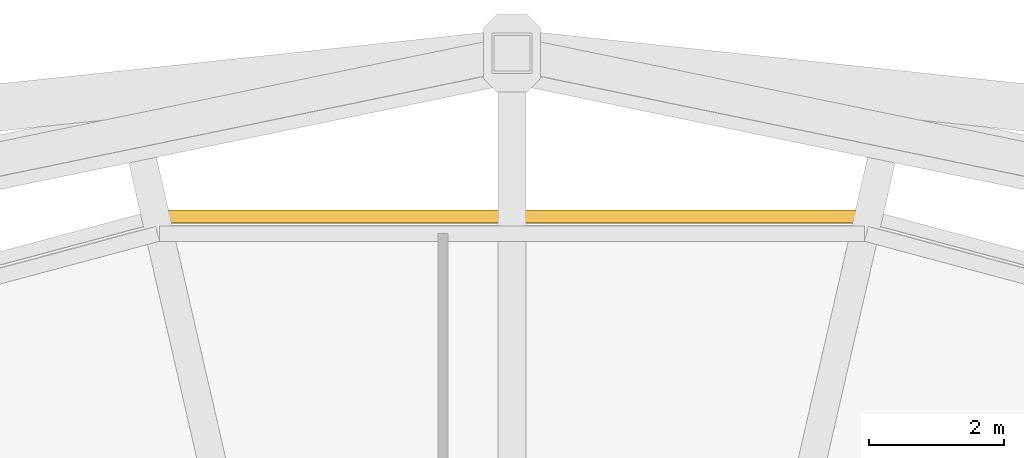
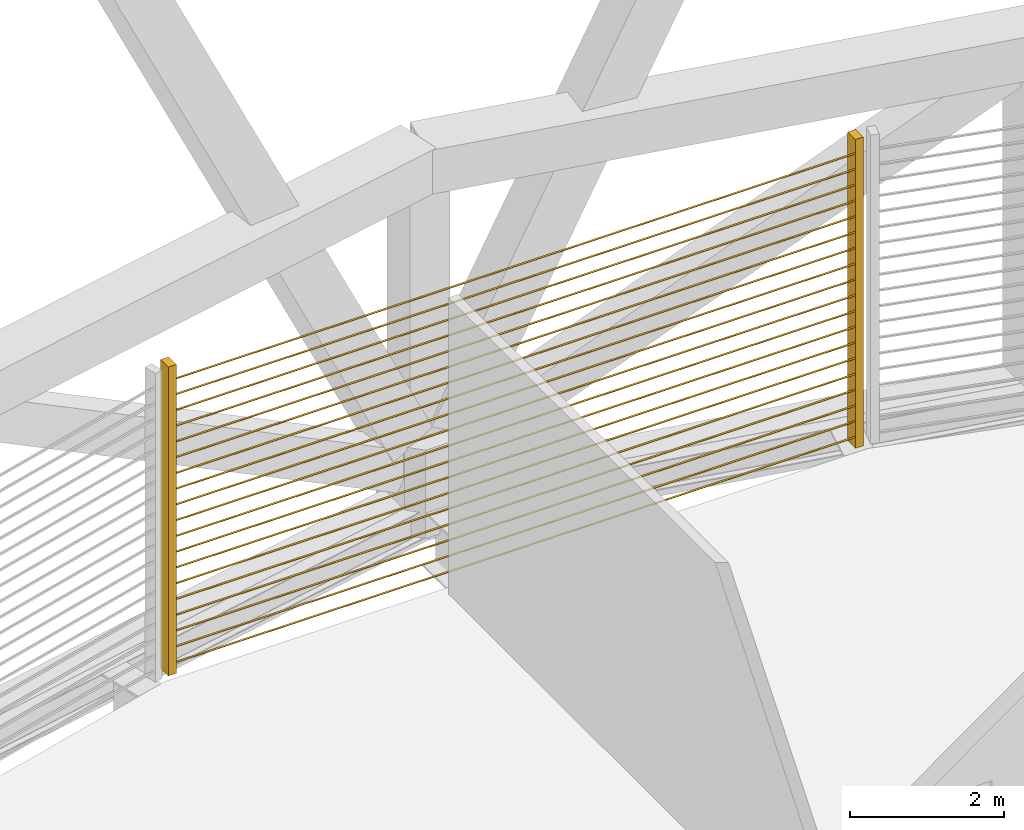
# One storey, part 17 of 17: 1 shading device.
"""IFC4 building model written with IfcOpenShell, lengths in metres."""

import ifcopenshell
import ifcopenshell.guid

model = None  # the IFC model being written
_history = None  # IfcOwnerHistory: only IFC2X3 demands one
_inside = {}  # id of a spatial element -> (the spatial element, [elements in it])
_under = {}  # id of a project, library or spatial element -> (it, [spatial elements below it])
_declared = {}  # id of a project -> (the project, [libraries it declares])
_typed = {}  # id of a type object -> (the type object, [elements of that type])
_made_of = {}  # id of a material, layer set ... -> (it, [elements and type objects made of it])


def new_model(schema):
    """Start an empty IFC model of exactly this schema.

    Asked for "IFC4X3", IfcOpenShell would pick the latest addendum, in which some entities
    have other attributes; the version numbers below select the first issue.
    IFC2X3 requires an IfcOwnerHistory on every rooted entity: one is made here for all.
    """
    global model, _history
    if schema == "IFC4X3":
        model = ifcopenshell.file(schema_version=(4, 3, 0, 0))
    else:
        model = ifcopenshell.file(schema=schema)
    _inside.clear()
    _under.clear()
    _declared.clear()
    _typed.clear()
    _made_of.clear()
    _history = None
    if model.schema == "IFC2X3":
        org = make("IfcOrganization", Name="unknown")
        user = make(
            "IfcPersonAndOrganization",
            ThePerson=make("IfcPerson", FamilyName="unknown"),
            TheOrganization=org,
        )
        app = make(
            "IfcApplication",
            ApplicationDeveloper=org,
            Version="unknown",
            ApplicationFullName="unknown",
            ApplicationIdentifier="unknown",
        )
        _history = make(
            "IfcOwnerHistory",
            OwningUser=user,
            OwningApplication=app,
            ChangeAction="ADDED",
            CreationDate=0,
        )
    return model


def make(cls, **values):
    """One entity of the class cls with the attributes given. An attribute that is None is left unset."""
    return model.create_entity(
        cls, **{name: value for name, value in values.items() if value is not None}
    )


def rooted(cls, **values):
    """An entity with a GlobalId (a new one), such as an element, a storey or a relation."""
    return make(cls, GlobalId=ifcopenshell.guid.new(), OwnerHistory=_history, **values)


def si_unit(unit_type, name, prefix=None):
    """IfcSIUnit, for example si_unit("LENGTHUNIT", "METRE", prefix="MILLI")."""
    return make("IfcSIUnit", UnitType=unit_type, Prefix=prefix, Name=name)


def assignment(units):
    """IfcUnitAssignment: the units of a project."""
    return None if units is None else make("IfcUnitAssignment", Units=units)


def point(xyz):
    """IfcCartesianPoint."""
    return None if xyz is None else make("IfcCartesianPoint", Coordinates=xyz)


def direction(xyz):
    """IfcDirection."""
    return None if xyz is None else make("IfcDirection", DirectionRatios=xyz)


def frame(location, z_axis=None, x_axis=None):
    """IfcAxis2Placement3D, a coordinate frame: its origin and axes. An axis left out is left unset."""
    return make(
        "IfcAxis2Placement3D",
        Location=point(location),
        Axis=direction(z_axis),
        RefDirection=direction(x_axis),
    )


def frame_2d(location, x_axis=None):
    """IfcAxis2Placement2D, a coordinate frame in the plane: its origin and x axis."""
    return make(
        "IfcAxis2Placement2D", Location=point(location), RefDirection=direction(x_axis)
    )


def origin():
    """The frame at (0, 0, 0) with its axes left unset."""
    return frame((0.0, 0.0, 0.0))


def origin_2d():
    """The frame at (0, 0) in the plane with its x axis left unset."""
    return frame_2d((0.0, 0.0))


def place(relative_to, where):
    """IfcLocalPlacement: puts the frame where relative to a parent placement (None: the world)."""
    return make(
        "IfcLocalPlacement", PlacementRelTo=relative_to, RelativePlacement=where
    )


def context(
    kind, dimensions, precision=None, world=None, true_north=None, identifier=None
):
    """IfcGeometricRepresentationContext, for example the 3D "Model" context."""
    return make(
        "IfcGeometricRepresentationContext",
        ContextIdentifier=identifier,
        ContextType=kind,
        CoordinateSpaceDimension=dimensions,
        Precision=precision,
        WorldCoordinateSystem=world,
        TrueNorth=true_north,
    )


def subcontext(parent, identifier, kind, view, scale=None):
    """IfcGeometricRepresentationSubContext, for example "Body" below "Model"."""
    return make(
        "IfcGeometricRepresentationSubContext",
        ContextIdentifier=identifier,
        ContextType=kind,
        ParentContext=parent,
        TargetScale=scale,
        TargetView=view,
    )


def project(units=None, contexts=None):
    """IfcProject with its units and contexts."""
    return rooted(
        "IfcProject",
        Name="project",
        RepresentationContexts=contexts,
        UnitsInContext=assignment(units),
    )


def spatial(cls, under=None, at=None, **own):
    """A site, building, storey or space (cls), placed at a placement, below another one or the project."""
    s = rooted(cls, ObjectPlacement=at, **own)
    if under is not None:
        _under.setdefault(under.id(), (under, []))[1].append(s)
    return s


def profile(cls, at=None, kind="AREA", **sizes):
    """A parametric profile (cls). Its sizes go by their IFC names, for example OverallWidth=200.0."""
    return make(cls, ProfileType=kind, Position=at, **sizes)


def rectangle(**sizes):
    """IfcRectangleProfileDef."""
    return profile("IfcRectangleProfileDef", **sizes)


def extrude(swept, where, along, depth):
    """IfcExtrudedAreaSolid: the profile swept, set in the frame where, extruded along a direction by depth."""
    return make(
        "IfcExtrudedAreaSolid",
        SweptArea=swept,
        Position=where,
        ExtrudedDirection=direction(along),
        Depth=depth,
    )


def shape(context_of_items, identifier, shape_type, items):
    """IfcShapeRepresentation: the items that make up one representation, for example the "Body"."""
    return make(
        "IfcShapeRepresentation",
        ContextOfItems=context_of_items,
        RepresentationIdentifier=identifier,
        RepresentationType=shape_type,
        Items=items,
    )


def material(Name=None, Category=None):
    """IfcMaterial."""
    return make("IfcMaterial", Name=Name, Category=Category)


def made_of(thing, what):
    """Note that an element or type object is made of a material, layer set ...; save() writes the relation."""
    if what is not None:
        _made_of.setdefault(what.id(), (what, []))[1].append(thing)
    return thing


def type_object(cls, material=None, **own):
    """A type object (cls), such as IfcWallType, which elements share."""
    return made_of(rooted(cls, **own), material)


def element(
    cls,
    number,
    at=None,
    inside=None,
    cuts=None,
    type_object=None,
    material=None,
    context=None,
    identifier="Body",
    shape_type=None,
    held_by="IfcProductDefinitionShape",
    body=None,
    shapes=None,
    **own,
):
    """One element of the class cls, such as IfcWall. Its Tag is "e" and its number.

    at: its placement. inside: the storey or other place that contains it. cuts: it is an
    opening in that element (IfcRelVoidsElement). A single representation is given by context,
    identifier, shape_type and body (its items); several are given by shapes. held_by: the class
    of the entity that holds the representations. save() writes the other relations.
    """
    e = rooted(cls, Tag="e%d" % number, ObjectPlacement=at, **own)
    if body is not None:
        shapes = [shape(context, identifier, shape_type, body)]
    if shapes is not None:
        e.Representation = make(held_by, Representations=shapes)
    if inside is not None:
        _inside.setdefault(inside.id(), (inside, []))[1].append(e)
    if cuts is not None:
        rooted(
            "IfcRelVoidsElement", RelatingBuildingElement=cuts, RelatedOpeningElement=e
        )
    if type_object is not None:
        _typed.setdefault(type_object.id(), (type_object, []))[1].append(e)
    return made_of(e, material)


def aggregate(whole, parts):
    """IfcRelAggregates: a whole, such as a stair, and the parts it consists of."""
    return rooted("IfcRelAggregates", RelatingObject=whole, RelatedObjects=parts)


def save(model, path):
    """Write the relations noted so far, then the file.

    IfcRelAggregates (storeys below a building ...), IfcRelContainedInSpatialStructure (elements
    in a storey), IfcRelDefinesByType, IfcRelAssociatesMaterial and IfcRelDeclares: one each for
    every whole, place, type object, material and project.
    """
    for whole, parts in _under.values():
        aggregate(whole, parts)
    for where, things in _inside.values():
        rooted(
            "IfcRelContainedInSpatialStructure",
            RelatedElements=things,
            RelatingStructure=where,
        )
    for kind, things in _typed.values():
        rooted("IfcRelDefinesByType", RelatedObjects=things, RelatingType=kind)
    for what, things in _made_of.values():
        rooted("IfcRelAssociatesMaterial", RelatedObjects=things, RelatingMaterial=what)
    for by, libraries in _declared.values():
        rooted("IfcRelDeclares", RelatingContext=by, RelatedDefinitions=libraries)
    model.write(path)


model = new_model("IFC4")

# Units and contexts
model_context = context("Model", 3, precision=1e-05, world=origin(), true_north=direction((0.0, 1.0)))
body_context = subcontext(model_context, "Body", "Model", "MODEL_VIEW")
ifc_project = project(units=[si_unit("LENGTHUNIT", "METRE"), si_unit("AREAUNIT", "SQUARE_METRE"), si_unit("VOLUMEUNIT", "CUBIC_METRE"), si_unit("PLANEANGLEUNIT", "RADIAN"), si_unit("MASSUNIT", "GRAM", prefix="KILO")], contexts=[model_context])

# Site, building, storey
site_placement = place(None, origin())
site = spatial("IfcSite", under=ifc_project, at=site_placement, CompositionType="ELEMENT")
building_placement = place(site_placement, origin())
building = spatial("IfcBuilding", under=site, at=building_placement, Name="Sahrelin Media Tower", CompositionType="ELEMENT")
storey_placement = place(building_placement, frame((0.0, 0.0, 249.60009765625)))
storey = spatial("IfcBuildingStorey", under=building, at=storey_placement, Name="L54", CompositionType="ELEMENT", Elevation=249.60009765625)

# Shading device
ifc_material = material(Name="Champagne anodised aluminium 6063-T6", Category="aluminium")
shading_device_type = type_object("IfcShadingDeviceType", Name="Sand-rejection louvre band", PredefinedType="USERDEFINED", material=ifc_material)
shading_device_placement = place(storey_placement, frame((0.0, 22.8720703125, 0.0), z_axis=(0.0, 0.0, 1.0), x_axis=(1.0, 0.0, 0.0)))
element("IfcShadingDevice", 1, at=shading_device_placement, inside=storey, type_object=shading_device_type, Name="L54:LOUVRE:L54-06", ObjectType="LOUVRE", PredefinedType="USERDEFINED", context=body_context, shape_type="SweptSolid", body=[
    extrude(rectangle(XDim=0.1201171875, YDim=0.199951171875, at=origin_2d()), frame((5.156005859375, 0.10009765625, 0.050048828125), z_axis=(0.0, 0.0, 1.0), x_axis=(1.0, 0.0, 0.0)), (0.0, 0.0, 1.0), 4.8984375),
    extrude(rectangle(XDim=0.1201171875, YDim=0.199951171875, at=origin_2d()), frame((-5.156005859375, 0.10009765625, 0.050048828125), z_axis=(0.0, 0.0, 1.0), x_axis=(1.0, 0.0, 0.0)), (0.0, 0.0, 1.0), 4.8984375),
    extrude(rectangle(XDim=0.25, YDim=0.02001953125, at=origin_2d()), frame((5.09619140625, 0.10009765625, 0.14990234375), z_axis=(-1.0, 0.0, 0.0), x_axis=(0.0, -0.766044443119, 0.642787609687)), (0.0, 0.0, 1.0), 10.1923828125),
    extrude(rectangle(XDim=0.25, YDim=0.02001953125, at=origin_2d()), frame((5.09619140625, 0.10009765625, 0.39990234375), z_axis=(-1.0, 0.0, 0.0), x_axis=(0.0, -0.766044443119, 0.642787609687)), (0.0, 0.0, 1.0), 10.1923828125),
    extrude(rectangle(XDim=0.25, YDim=0.02001953125, at=origin_2d()), frame((5.09619140625, 0.10009765625, 0.64990234375), z_axis=(-1.0, 0.0, 0.0), x_axis=(0.0, -0.766044443119, 0.642787609687)), (0.0, 0.0, 1.0), 10.1923828125),
    extrude(rectangle(XDim=0.25, YDim=0.02001953125, at=origin_2d()), frame((5.09619140625, 0.10009765625, 0.89990234375), z_axis=(-1.0, 0.0, 0.0), x_axis=(0.0, -0.766044443119, 0.642787609687)), (0.0, 0.0, 1.0), 10.1923828125),
    extrude(rectangle(XDim=0.25, YDim=0.02001953125, at=origin_2d()), frame((5.09619140625, 0.10009765625, 1.14990234375), z_axis=(-1.0, 0.0, 0.0), x_axis=(0.0, -0.766044443119, 0.642787609687)), (0.0, 0.0, 1.0), 10.1923828125),
    extrude(rectangle(XDim=0.25, YDim=0.02001953125, at=origin_2d()), frame((5.09619140625, 0.10009765625, 1.39990234375), z_axis=(-1.0, 0.0, 0.0), x_axis=(0.0, -0.766044443119, 0.642787609687)), (0.0, 0.0, 1.0), 10.1923828125),
    extrude(rectangle(XDim=0.25, YDim=0.02001953125, at=origin_2d()), frame((5.09619140625, 0.10009765625, 1.64990234375), z_axis=(-1.0, 0.0, 0.0), x_axis=(0.0, -0.766044443119, 0.642787609687)), (0.0, 0.0, 1.0), 10.1923828125),
    extrude(rectangle(XDim=0.25, YDim=0.02001953125, at=origin_2d()), frame((5.09619140625, 0.10009765625, 1.89990234375), z_axis=(-1.0, 0.0, 0.0), x_axis=(0.0, -0.766044443119, 0.642787609687)), (0.0, 0.0, 1.0), 10.1923828125),
    extrude(rectangle(XDim=0.25, YDim=0.02001953125, at=origin_2d()), frame((5.09619140625, 0.10009765625, 2.14990234375), z_axis=(-1.0, 0.0, 0.0), x_axis=(0.0, -0.766044443119, 0.642787609687)), (0.0, 0.0, 1.0), 10.1923828125),
    extrude(rectangle(XDim=0.25, YDim=0.02001953125, at=origin_2d()), frame((5.09619140625, 0.10009765625, 2.39990234375), z_axis=(-1.0, 0.0, 0.0), x_axis=(0.0, -0.766044443119, 0.642787609687)), (0.0, 0.0, 1.0), 10.1923828125),
    extrude(rectangle(XDim=0.25, YDim=0.02001953125, at=origin_2d()), frame((5.09619140625, 0.10009765625, 2.64990234375), z_axis=(-1.0, 0.0, 0.0), x_axis=(0.0, -0.766044443119, 0.642787609687)), (0.0, 0.0, 1.0), 10.1923828125),
    extrude(rectangle(XDim=0.25, YDim=0.02001953125, at=origin_2d()), frame((5.09619140625, 0.10009765625, 2.89990234375), z_axis=(-1.0, 0.0, 0.0), x_axis=(0.0, -0.766044443119, 0.642787609687)), (0.0, 0.0, 1.0), 10.1923828125),
    extrude(rectangle(XDim=0.25, YDim=0.02001953125, at=origin_2d()), frame((5.09619140625, 0.10009765625, 3.14990234375), z_axis=(-1.0, 0.0, 0.0), x_axis=(0.0, -0.766044443119, 0.642787609687)), (0.0, 0.0, 1.0), 10.1923828125),
    extrude(rectangle(XDim=0.25, YDim=0.02001953125, at=origin_2d()), frame((5.09619140625, 0.10009765625, 3.39990234375), z_axis=(-1.0, 0.0, 0.0), x_axis=(0.0, -0.766044443119, 0.642787609687)), (0.0, 0.0, 1.0), 10.1923828125),
    extrude(rectangle(XDim=0.25, YDim=0.02001953125, at=origin_2d()), frame((5.09619140625, 0.10009765625, 3.64990234375), z_axis=(-1.0, 0.0, 0.0), x_axis=(0.0, -0.766044443119, 0.642787609687)), (0.0, 0.0, 1.0), 10.1923828125),
    extrude(rectangle(XDim=0.25, YDim=0.02001953125, at=origin_2d()), frame((5.09619140625, 0.10009765625, 3.89990234375), z_axis=(-1.0, 0.0, 0.0), x_axis=(0.0, -0.766044443119, 0.642787609687)), (0.0, 0.0, 1.0), 10.1923828125),
    extrude(rectangle(XDim=0.25, YDim=0.02001953125, at=origin_2d()), frame((5.09619140625, 0.10009765625, 4.14990234375), z_axis=(-1.0, 0.0, 0.0), x_axis=(0.0, -0.766044443119, 0.642787609687)), (0.0, 0.0, 1.0), 10.1923828125),
    extrude(rectangle(XDim=0.25, YDim=0.02001953125, at=origin_2d()), frame((5.09619140625, 0.10009765625, 4.39990234375), z_axis=(-1.0, 0.0, 0.0), x_axis=(0.0, -0.766044443119, 0.642787609687)), (0.0, 0.0, 1.0), 10.1923828125),
    extrude(rectangle(XDim=0.25, YDim=0.02001953125, at=origin_2d()), frame((5.09619140625, 0.10009765625, 4.64990234375), z_axis=(-1.0, 0.0, 0.0), x_axis=(0.0, -0.766044443119, 0.642787609687)), (0.0, 0.0, 1.0), 10.1923828125),
])

save(model, "model.ifc")
